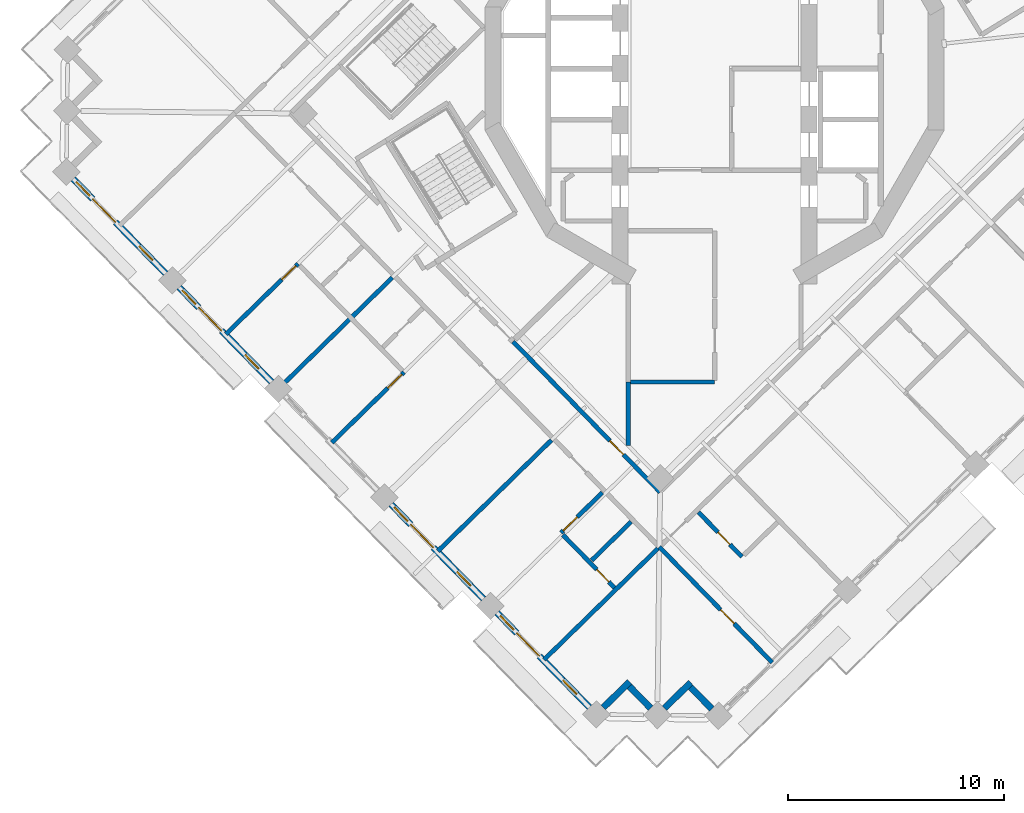
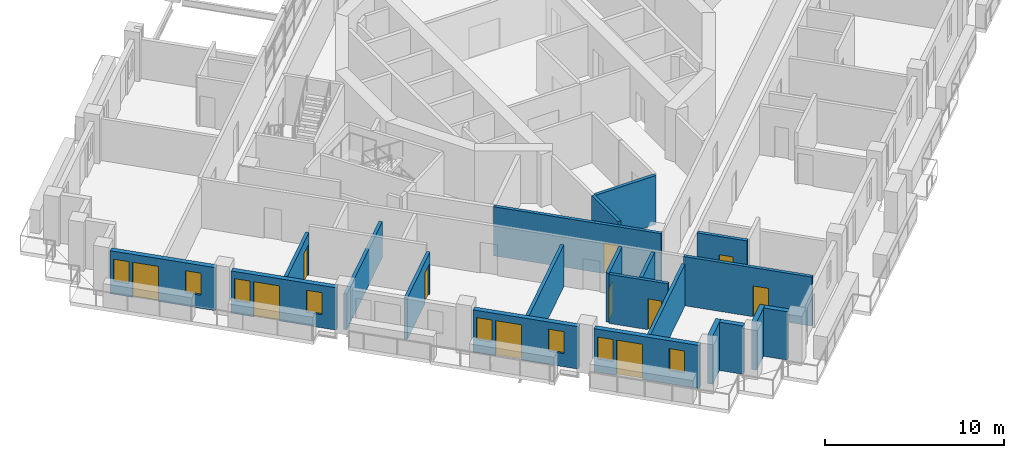
# One storey, part 5 of 19: 21 walls, 11 doors, 8 windows, 19 openings.
"""IFC4 building model written with IfcOpenShell, lengths in metres."""

import ifcopenshell
import ifcopenshell.guid

model = None  # the IFC model being written
_history = None  # IfcOwnerHistory: only IFC2X3 demands one
_inside = {}  # id of a spatial element -> (the spatial element, [elements in it])
_under = {}  # id of a project, library or spatial element -> (it, [spatial elements below it])
_declared = {}  # id of a project -> (the project, [libraries it declares])
_typed = {}  # id of a type object -> (the type object, [elements of that type])
_made_of = {}  # id of a material, layer set ... -> (it, [elements and type objects made of it])


def new_model(schema):
    """Start an empty IFC model of exactly this schema.

    Asked for "IFC4X3", IfcOpenShell would pick the latest addendum, in which some entities
    have other attributes; the version numbers below select the first issue.
    IFC2X3 requires an IfcOwnerHistory on every rooted entity: one is made here for all.
    """
    global model, _history
    if schema == "IFC4X3":
        model = ifcopenshell.file(schema_version=(4, 3, 0, 0))
    else:
        model = ifcopenshell.file(schema=schema)
    _inside.clear()
    _under.clear()
    _declared.clear()
    _typed.clear()
    _made_of.clear()
    _history = None
    if model.schema == "IFC2X3":
        org = make("IfcOrganization", Name="unknown")
        user = make(
            "IfcPersonAndOrganization",
            ThePerson=make("IfcPerson", FamilyName="unknown"),
            TheOrganization=org,
        )
        app = make(
            "IfcApplication",
            ApplicationDeveloper=org,
            Version="unknown",
            ApplicationFullName="unknown",
            ApplicationIdentifier="unknown",
        )
        _history = make(
            "IfcOwnerHistory",
            OwningUser=user,
            OwningApplication=app,
            ChangeAction="ADDED",
            CreationDate=0,
        )
    return model


def make(cls, **values):
    """One entity of the class cls with the attributes given. An attribute that is None is left unset."""
    return model.create_entity(
        cls, **{name: value for name, value in values.items() if value is not None}
    )


def rooted(cls, **values):
    """An entity with a GlobalId (a new one), such as an element, a storey or a relation."""
    return make(cls, GlobalId=ifcopenshell.guid.new(), OwnerHistory=_history, **values)


def si_unit(unit_type, name, prefix=None):
    """IfcSIUnit, for example si_unit("LENGTHUNIT", "METRE", prefix="MILLI")."""
    return make("IfcSIUnit", UnitType=unit_type, Prefix=prefix, Name=name)


def assignment(units):
    """IfcUnitAssignment: the units of a project."""
    return None if units is None else make("IfcUnitAssignment", Units=units)


def point(xyz):
    """IfcCartesianPoint."""
    return None if xyz is None else make("IfcCartesianPoint", Coordinates=xyz)


def direction(xyz):
    """IfcDirection."""
    return None if xyz is None else make("IfcDirection", DirectionRatios=xyz)


def frame(location, z_axis=None, x_axis=None):
    """IfcAxis2Placement3D, a coordinate frame: its origin and axes. An axis left out is left unset."""
    return make(
        "IfcAxis2Placement3D",
        Location=point(location),
        Axis=direction(z_axis),
        RefDirection=direction(x_axis),
    )


def frame_2d(location, x_axis=None):
    """IfcAxis2Placement2D, a coordinate frame in the plane: its origin and x axis."""
    return make(
        "IfcAxis2Placement2D", Location=point(location), RefDirection=direction(x_axis)
    )


def origin():
    """The frame at (0, 0, 0) with its axes left unset."""
    return frame((0.0, 0.0, 0.0))


def place(relative_to, where):
    """IfcLocalPlacement: puts the frame where relative to a parent placement (None: the world)."""
    return make(
        "IfcLocalPlacement", PlacementRelTo=relative_to, RelativePlacement=where
    )


def context(
    kind, dimensions, precision=None, world=None, true_north=None, identifier=None
):
    """IfcGeometricRepresentationContext, for example the 3D "Model" context."""
    return make(
        "IfcGeometricRepresentationContext",
        ContextIdentifier=identifier,
        ContextType=kind,
        CoordinateSpaceDimension=dimensions,
        Precision=precision,
        WorldCoordinateSystem=world,
        TrueNorth=true_north,
    )


def subcontext(parent, identifier, kind, view, scale=None):
    """IfcGeometricRepresentationSubContext, for example "Body" below "Model"."""
    return make(
        "IfcGeometricRepresentationSubContext",
        ContextIdentifier=identifier,
        ContextType=kind,
        ParentContext=parent,
        TargetScale=scale,
        TargetView=view,
    )


def project(units=None, contexts=None):
    """IfcProject with its units and contexts."""
    return rooted(
        "IfcProject",
        Name="project",
        RepresentationContexts=contexts,
        UnitsInContext=assignment(units),
    )


def spatial(cls, under=None, at=None, **own):
    """A site, building, storey or space (cls), placed at a placement, below another one or the project."""
    s = rooted(cls, ObjectPlacement=at, **own)
    if under is not None:
        _under.setdefault(under.id(), (under, []))[1].append(s)
    return s


def profile(cls, at=None, kind="AREA", **sizes):
    """A parametric profile (cls). Its sizes go by their IFC names, for example OverallWidth=200.0."""
    return make(cls, ProfileType=kind, Position=at, **sizes)


def rectangle(**sizes):
    """IfcRectangleProfileDef."""
    return profile("IfcRectangleProfileDef", **sizes)


def extrude(swept, where, along, depth):
    """IfcExtrudedAreaSolid: the profile swept, set in the frame where, extruded along a direction by depth."""
    return make(
        "IfcExtrudedAreaSolid",
        SweptArea=swept,
        Position=where,
        ExtrudedDirection=direction(along),
        Depth=depth,
    )


def shape(context_of_items, identifier, shape_type, items):
    """IfcShapeRepresentation: the items that make up one representation, for example the "Body"."""
    return make(
        "IfcShapeRepresentation",
        ContextOfItems=context_of_items,
        RepresentationIdentifier=identifier,
        RepresentationType=shape_type,
        Items=items,
    )


def material(Name=None, Category=None):
    """IfcMaterial."""
    return make("IfcMaterial", Name=Name, Category=Category)


def layer(
    of_material, thickness, ventilated=None, Name=None, Category=None, Priority=None
):
    """IfcMaterialLayer: one layer of a wall or slab, of a material (None: an air gap)."""
    return make(
        "IfcMaterialLayer",
        Material=of_material,
        LayerThickness=thickness,
        IsVentilated=ventilated,
        Name=Name,
        Category=Category,
        Priority=Priority,
    )


def layer_set(layers, Name=None):
    """IfcMaterialLayerSet."""
    return make("IfcMaterialLayerSet", MaterialLayers=layers, LayerSetName=Name)


def made_of(thing, what):
    """Note that an element or type object is made of a material, layer set ...; save() writes the relation."""
    if what is not None:
        _made_of.setdefault(what.id(), (what, []))[1].append(thing)
    return thing


def type_object(cls, material=None, **own):
    """A type object (cls), such as IfcWallType, which elements share."""
    return made_of(rooted(cls, **own), material)


def element(
    cls,
    number,
    at=None,
    inside=None,
    cuts=None,
    type_object=None,
    material=None,
    context=None,
    identifier="Body",
    shape_type=None,
    held_by="IfcProductDefinitionShape",
    body=None,
    shapes=None,
    **own,
):
    """One element of the class cls, such as IfcWall. Its Tag is "e" and its number.

    at: its placement. inside: the storey or other place that contains it. cuts: it is an
    opening in that element (IfcRelVoidsElement). A single representation is given by context,
    identifier, shape_type and body (its items); several are given by shapes. held_by: the class
    of the entity that holds the representations. save() writes the other relations.
    """
    e = rooted(cls, Tag="e%d" % number, ObjectPlacement=at, **own)
    if body is not None:
        shapes = [shape(context, identifier, shape_type, body)]
    if shapes is not None:
        e.Representation = make(held_by, Representations=shapes)
    if inside is not None:
        _inside.setdefault(inside.id(), (inside, []))[1].append(e)
    if cuts is not None:
        rooted(
            "IfcRelVoidsElement", RelatingBuildingElement=cuts, RelatedOpeningElement=e
        )
    if type_object is not None:
        _typed.setdefault(type_object.id(), (type_object, []))[1].append(e)
    return made_of(e, material)


def fill(opening, filler):
    """IfcRelFillsElement: the door or window that sits in an opening."""
    return rooted(
        "IfcRelFillsElement",
        RelatingOpeningElement=opening,
        RelatedBuildingElement=filler,
    )


def aggregate(whole, parts):
    """IfcRelAggregates: a whole, such as a stair, and the parts it consists of."""
    return rooted("IfcRelAggregates", RelatingObject=whole, RelatedObjects=parts)


def save(model, path):
    """Write the relations noted so far, then the file.

    IfcRelAggregates (storeys below a building ...), IfcRelContainedInSpatialStructure (elements
    in a storey), IfcRelDefinesByType, IfcRelAssociatesMaterial and IfcRelDeclares: one each for
    every whole, place, type object, material and project.
    """
    for whole, parts in _under.values():
        aggregate(whole, parts)
    for where, things in _inside.values():
        rooted(
            "IfcRelContainedInSpatialStructure",
            RelatedElements=things,
            RelatingStructure=where,
        )
    for kind, things in _typed.values():
        rooted("IfcRelDefinesByType", RelatedObjects=things, RelatingType=kind)
    for what, things in _made_of.values():
        rooted("IfcRelAssociatesMaterial", RelatedObjects=things, RelatingMaterial=what)
    for by, libraries in _declared.values():
        rooted("IfcRelDeclares", RelatingContext=by, RelatedDefinitions=libraries)
    model.write(path)


model = new_model("IFC4")

# Units and contexts
model_context = context("Model", 3, precision=1e-05, world=origin(), true_north=direction((0.0, 1.0)))
body_context = subcontext(model_context, "Body", "Model", "MODEL_VIEW")
ifc_project = project(units=[si_unit("LENGTHUNIT", "METRE"), si_unit("AREAUNIT", "SQUARE_METRE"), si_unit("VOLUMEUNIT", "CUBIC_METRE"), si_unit("PLANEANGLEUNIT", "RADIAN"), si_unit("MASSUNIT", "GRAM", prefix="KILO")], contexts=[model_context])

# Site, building, storey
site_placement = place(None, origin())
site = spatial("IfcSite", under=ifc_project, at=site_placement, CompositionType="ELEMENT")
building_placement = place(site_placement, origin())
building = spatial("IfcBuilding", under=site, at=building_placement, Name="Cantera Rosa Tower", CompositionType="ELEMENT")
storey_placement = place(building_placement, frame((0.0, 0.0, 223.39990234375)))
storey = spatial("IfcBuildingStorey", under=building, at=storey_placement, Name="L48", CompositionType="ELEMENT", Elevation=223.39990234375)

# Wall, opening, door
ifc_material_1 = material(Name="Gypsum board partition")
ifc_layer_1 = layer(ifc_material_1, 0.199951171875)
ifc_layer_set_1 = layer_set([ifc_layer_1], Name="CORRIDOR WALL 200 H3350")
wall_type_1 = type_object("IfcWallType", Name="CORRIDOR WALL 200 H3350", PredefinedType="PARTITIONING", material=ifc_layer_set_1)
wall_1_placement = place(storey_placement, frame((-9.325927734375, -12.634521484375, 0.0), z_axis=(0.0, 0.0, 1.0), x_axis=(0.698841350765, -0.71527670622, 0.0)))
wall_1 = element("IfcWall", 1, at=wall_1_placement, inside=storey, type_object=wall_type_1, Name="CORRIDOR WALL L48-032", PredefinedType="PARTITIONING", context=body_context, shape_type="SweptSolid", body=[
    extrude(rectangle(XDim=9.729736328125, YDim=0.199951171875, at=frame_2d((4.86474609375, 0.0))), origin(), (0.0, 0.0, 1.0), 3.35009765625),
])
opening_1_placement = place(wall_1_placement, frame((6.406982421875, 0.0, 0.0)))
opening_1 = element("IfcOpeningElement", 2, at=opening_1_placement, cuts=wall_1, Name="Opening L48-010", PredefinedType="OPENING", context=body_context, shape_type="SweptSolid", body=[
    extrude(rectangle(XDim=0.89990234375, YDim=2.10009765625, at=frame_2d((0.449951171875, 1.050048828125))), frame((0.0, 0.10986328125, 0.0), z_axis=(0.0, -1.0, 0.0), x_axis=(1.0, 0.0, 0.0)), (0.0, 0.0, 1.0), 0.219970703125),
])
ifc_material_2 = material(Name="Timber door leaf", Category="wood")
door_type_1 = type_object("IfcDoorType", Name="SERVICE DOOR 900x2100", OperationType="NOTDEFINED", PredefinedType="DOOR", material=ifc_material_2)
door_1_placement = place(opening_1_placement, origin())
door_1 = element("IfcDoor", 3, at=door_1_placement, inside=storey, type_object=door_type_1, Name="DOOR L48-010", OperationType="NOTDEFINED", OverallHeight=2.10009765625, OverallWidth=0.89990234375, PredefinedType="DOOR", context=body_context, shape_type="SweptSolid", body=[
    extrude(rectangle(XDim=0.89990234375, YDim=2.10009765625, at=frame_2d((0.449951171875, 1.050048828125))), frame((0.0, 0.02490234375, 0.0), z_axis=(0.0, -1.0, 0.0), x_axis=(1.0, 0.0, 0.0)), (0.0, 0.0, 1.0), 0.050048828125),
])
fill(opening_1, door_1)

# Walls
wall_2_placement = place(storey_placement, frame((-4.0, -14.5, 0.0), z_axis=(0.0, 0.0, 1.0), x_axis=(0.0, -1.0, 0.0)))
element("IfcWall", 4, at=wall_2_placement, inside=storey, type_object=wall_type_1, Name="CORRIDOR WALL L48-051", PredefinedType="PARTITIONING", context=body_context, shape_type="SweptSolid", body=[
    extrude(rectangle(XDim=2.94189453125, YDim=0.199951171875, at=frame_2d((1.470947265625, 0.0))), origin(), (0.0, 0.0, 1.0), 3.35009765625),
])
wall_3_placement = place(storey_placement, frame((-3.89990234375, -14.5, 0.0), z_axis=(0.0, 0.0, 1.0), x_axis=(1.0, 0.0, 0.0)))
element("IfcWall", 5, at=wall_3_placement, inside=storey, type_object=wall_type_1, Name="CORRIDOR WALL L48-052", PredefinedType="PARTITIONING", context=body_context, shape_type="SweptSolid", body=[
    extrude(rectangle(XDim=3.89990234375, YDim=0.199951171875, at=frame_2d((1.949951171875, 0.0))), origin(), (0.0, 0.0, 1.0), 3.35009765625),
])
ifc_material_3 = material(Name="Hollow clay masonry with cantera stone cladding", Category="masonry")
ifc_layer_2 = layer(ifc_material_3, 0.300048828125)
ifc_layer_set_2 = layer_set([ifc_layer_2], Name="EW-LOGGIA 300")
wall_type_2 = type_object("IfcWallType", Name="EW-LOGGIA 300", PredefinedType="SOLIDWALL", material=ifc_layer_set_2)
wall_4_placement = place(storey_placement, frame((-5.15283203125, -29.56982421875, 0.0), z_axis=(0.0, 0.0, 1.0), x_axis=(0.715316077832, 0.69880105094, 0.0)))
element("IfcWall", 6, at=wall_4_placement, inside=storey, type_object=wall_type_2, Name="EN-L48-W19a", PredefinedType="SOLIDWALL", context=body_context, shape_type="SweptSolid", body=[
    extrude(rectangle(XDim=1.699951171875, YDim=0.300048828125, at=frame_2d((0.85009765625, 0.0))), origin(), (0.0, 0.0, 1.0), 3.300048828125),
])
wall_5_placement = place(storey_placement, frame((-3.939208984375, -28.593994140625, 0.0), z_axis=(0.0, 0.0, 1.0), x_axis=(0.698861982187, -0.715256548278, 0.0)))
element("IfcWall", 7, at=wall_5_placement, inside=storey, type_object=wall_type_2, Name="EN-L48-W19b", PredefinedType="SOLIDWALL", context=body_context, shape_type="SweptSolid", body=[
    extrude(rectangle(XDim=1.39990234375, YDim=0.300048828125, at=frame_2d((0.699951171875, 0.0))), origin(), (0.0, 0.0, 1.0), 3.300048828125),
])
wall_6_placement = place(storey_placement, frame((-2.324462890625, -29.602783203125, 0.0), z_axis=(0.0, 0.0, 1.0), x_axis=(0.715316077832, 0.69880105094, 0.0)))
element("IfcWall", 8, at=wall_6_placement, inside=storey, type_object=wall_type_2, Name="EN-L48-W20a", PredefinedType="SOLIDWALL", context=body_context, shape_type="SweptSolid", body=[
    extrude(rectangle(XDim=1.699951171875, YDim=0.300048828125, at=frame_2d((0.85009765625, 0.0))), origin(), (0.0, 0.0, 1.0), 3.300048828125),
])
wall_7_placement = place(storey_placement, frame((-1.111083984375, -28.626953125, 0.0), z_axis=(0.0, 0.0, 1.0), x_axis=(0.698951192766, -0.71516937164, 0.0)))
element("IfcWall", 9, at=wall_7_placement, inside=storey, type_object=wall_type_2, Name="EN-L48-W20b", PredefinedType="SOLIDWALL", context=body_context, shape_type="SweptSolid", body=[
    extrude(rectangle(XDim=1.39990234375, YDim=0.300048828125, at=frame_2d((0.699951171875, 0.0))), origin(), (0.0, 0.0, 1.0), 3.300048828125),
])

# Wall, openings, windows, door
ifc_material_4 = material(Name="Hollow clay masonry with cantera stone cladding", Category="masonry")
ifc_layer_3 = layer(ifc_material_4, 0.300048828125)
ifc_layer_set_3 = layer_set([ifc_layer_3], Name="EW-LOGGIA 300 H2890")
wall_type_3 = type_object("IfcWallType", Name="EW-LOGGIA 300 H2890", PredefinedType="SOLIDWALL", material=ifc_layer_set_3)
wall_8_placement = place(storey_placement, frame((-24.783203125, -10.120849609375, 0.0), z_axis=(0.0, 0.0, 1.0), x_axis=(0.698800768177, -0.715316354067, 0.0)))
wall_8 = element("IfcWall", 10, at=wall_8_placement, inside=storey, type_object=wall_type_3, Name="EN-L48-W15", PredefinedType="SOLIDWALL", context=body_context, shape_type="SweptSolid", body=[
    extrude(rectangle(XDim=6.119873046875, YDim=0.300048828125, at=frame_2d((3.06005859375, 0.0))), origin(), (0.0, 0.0, 1.0), 2.89013671875),
])
opening_2_placement = place(wall_8_placement, frame((0.199951171875, 0.0, 0.89990234375)))
opening_2 = element("IfcOpeningElement", 11, at=opening_2_placement, cuts=wall_8, Name="Opening L48-W25", PredefinedType="OPENING", context=body_context, shape_type="SweptSolid", body=[
    extrude(rectangle(XDim=0.89990234375, YDim=1.5, at=frame_2d((0.449951171875, 0.75))), frame((0.0, 0.159912109375, 0.0), z_axis=(0.0, -1.0, 0.0), x_axis=(1.0, 0.0, 0.0)), (0.0, 0.0, 1.0), 0.320068359375),
])
opening_3_placement = place(wall_8_placement, frame((1.300048828125, 0.0, 0.0)))
opening_3 = element("IfcOpeningElement", 12, at=opening_3_placement, cuts=wall_8, Name="Opening L48-TD26", PredefinedType="OPENING", context=body_context, shape_type="SweptSolid", body=[
    extrude(rectangle(XDim=1.5, YDim=2.39990234375, at=frame_2d((0.75, 1.199951171875))), frame((0.0, 0.159912109375, 0.0), z_axis=(0.0, -1.0, 0.0), x_axis=(1.0, 0.0, 0.0)), (0.0, 0.0, 1.0), 0.320068359375),
])
opening_4_placement = place(wall_8_placement, frame((4.364990234375, 0.0, 0.89990234375)))
opening_4 = element("IfcOpeningElement", 13, at=opening_4_placement, cuts=wall_8, Name="Opening L48-W27", PredefinedType="OPENING", context=body_context, shape_type="SweptSolid", body=[
    extrude(rectangle(XDim=0.89990234375, YDim=1.5, at=frame_2d((0.449951171875, 0.75))), frame((0.0, 0.159912109375, 0.0), z_axis=(0.0, -1.0, 0.0), x_axis=(1.0, 0.0, 0.0)), (0.0, 0.0, 1.0), 0.320068359375),
])
ifc_material_5 = material(Name="Aluminium frame with clear glass", Category="aluminium")
window_type = type_object("IfcWindowType", Name="Residential window 900x1500", PartitioningType="SINGLE_PANEL", PredefinedType="WINDOW", material=ifc_material_5)
window_1_placement = place(opening_2_placement, origin())
window_1 = element("IfcWindow", 14, at=window_1_placement, inside=storey, type_object=window_type, Name="WINDOW L48-W25", OverallHeight=1.5, OverallWidth=0.89990234375, PartitioningType="SINGLE_PANEL", PredefinedType="WINDOW", context=body_context, shape_type="SweptSolid", body=[
    extrude(rectangle(XDim=0.89990234375, YDim=1.5, at=frame_2d((0.449951171875, 0.75))), frame((0.0, 0.030029296875, 0.0), z_axis=(0.0, -1.0, 0.0), x_axis=(1.0, 0.0, 0.0)), (0.0, 0.0, 1.0), 0.06005859375),
])
fill(opening_2, window_1)
window_2_placement = place(opening_4_placement, origin())
window_2 = element("IfcWindow", 15, at=window_2_placement, inside=storey, type_object=window_type, Name="WINDOW L48-W27", OverallHeight=1.5, OverallWidth=0.89990234375, PartitioningType="SINGLE_PANEL", PredefinedType="WINDOW", context=body_context, shape_type="SweptSolid", body=[
    extrude(rectangle(XDim=0.89990234375, YDim=1.5, at=frame_2d((0.449951171875, 0.75))), frame((0.0, 0.030029296875, 0.0), z_axis=(0.0, -1.0, 0.0), x_axis=(1.0, 0.0, 0.0)), (0.0, 0.0, 1.0), 0.06005859375),
])
fill(opening_4, window_2)
ifc_material_6 = material(Name="Aluminium frame with clear glass", Category="aluminium")
door_type_2 = type_object("IfcDoorType", Name="TD-R 1500x2400", OperationType="NOTDEFINED", PredefinedType="DOOR", material=ifc_material_6)
door_2_placement = place(opening_3_placement, origin())
door_2 = element("IfcDoor", 16, at=door_2_placement, inside=storey, type_object=door_type_2, Name="LOGGIA DOOR L48-TD26", OperationType="SLIDING_TO_LEFT", OverallHeight=2.39990234375, OverallWidth=1.5, PredefinedType="DOOR", context=body_context, shape_type="SweptSolid", body=[
    extrude(rectangle(XDim=1.5, YDim=2.39990234375, at=frame_2d((0.75, 1.199951171875))), frame((0.0, 0.02490234375, 0.0), z_axis=(0.0, -1.0, 0.0), x_axis=(1.0, 0.0, 0.0)), (0.0, 0.0, 1.0), 0.050048828125),
])
fill(opening_3, door_2)

wall_9_placement = place(storey_placement, frame((-14.9716796875, -20.16357421875, 0.0), z_axis=(0.0, 0.0, 1.0), x_axis=(0.698841120217, -0.71527693147, 0.0)))
wall_9 = element("IfcWall", 17, at=wall_9_placement, inside=storey, type_object=wall_type_3, Name="EN-L48-W17", PredefinedType="SOLIDWALL", context=body_context, shape_type="SweptSolid", body=[
    extrude(rectangle(XDim=6.119873046875, YDim=0.300048828125, at=frame_2d((3.06005859375, 0.0))), origin(), (0.0, 0.0, 1.0), 2.89013671875),
])
opening_5_placement = place(wall_9_placement, frame((0.199951171875, 0.0, 0.89990234375)))
opening_5 = element("IfcOpeningElement", 18, at=opening_5_placement, cuts=wall_9, Name="Opening L48-W31", PredefinedType="OPENING", context=body_context, shape_type="SweptSolid", body=[
    extrude(rectangle(XDim=0.89990234375, YDim=1.5, at=frame_2d((0.449951171875, 0.75))), frame((0.0, 0.159912109375, 0.0), z_axis=(0.0, -1.0, 0.0), x_axis=(1.0, 0.0, 0.0)), (0.0, 0.0, 1.0), 0.320068359375),
])
opening_6_placement = place(wall_9_placement, frame((1.300048828125, 0.0, 0.0)))
opening_6 = element("IfcOpeningElement", 19, at=opening_6_placement, cuts=wall_9, Name="Opening L48-TD32", PredefinedType="OPENING", context=body_context, shape_type="SweptSolid", body=[
    extrude(rectangle(XDim=1.5, YDim=2.39990234375, at=frame_2d((0.75, 1.199951171875))), frame((0.0, 0.159912109375, 0.0), z_axis=(0.0, -1.0, 0.0), x_axis=(1.0, 0.0, 0.0)), (0.0, 0.0, 1.0), 0.320068359375),
])
opening_7_placement = place(wall_9_placement, frame((4.364990234375, 0.0, 0.89990234375)))
opening_7 = element("IfcOpeningElement", 20, at=opening_7_placement, cuts=wall_9, Name="Opening L48-W33", PredefinedType="OPENING", context=body_context, shape_type="SweptSolid", body=[
    extrude(rectangle(XDim=0.89990234375, YDim=1.5, at=frame_2d((0.449951171875, 0.75))), frame((0.0, 0.159912109375, 0.0), z_axis=(0.0, -1.0, 0.0), x_axis=(1.0, 0.0, 0.0)), (0.0, 0.0, 1.0), 0.320068359375),
])
window_3_placement = place(opening_5_placement, origin())
window_3 = element("IfcWindow", 21, at=window_3_placement, inside=storey, type_object=window_type, Name="WINDOW L48-W31", OverallHeight=1.5, OverallWidth=0.89990234375, PartitioningType="SINGLE_PANEL", PredefinedType="WINDOW", context=body_context, shape_type="SweptSolid", body=[
    extrude(rectangle(XDim=0.89990234375, YDim=1.5, at=frame_2d((0.449951171875, 0.75))), frame((0.0, 0.030029296875, 0.0), z_axis=(0.0, -1.0, 0.0), x_axis=(1.0, 0.0, 0.0)), (0.0, 0.0, 1.0), 0.06005859375),
])
fill(opening_5, window_3)
window_4_placement = place(opening_7_placement, origin())
window_4 = element("IfcWindow", 22, at=window_4_placement, inside=storey, type_object=window_type, Name="WINDOW L48-W33", OverallHeight=1.5, OverallWidth=0.89990234375, PartitioningType="SINGLE_PANEL", PredefinedType="WINDOW", context=body_context, shape_type="SweptSolid", body=[
    extrude(rectangle(XDim=0.89990234375, YDim=1.5, at=frame_2d((0.449951171875, 0.75))), frame((0.0, 0.030029296875, 0.0), z_axis=(0.0, -1.0, 0.0), x_axis=(1.0, 0.0, 0.0)), (0.0, 0.0, 1.0), 0.06005859375),
])
fill(opening_7, window_4)
door_3_placement = place(opening_6_placement, origin())
door_3 = element("IfcDoor", 23, at=door_3_placement, inside=storey, type_object=door_type_2, Name="LOGGIA DOOR L48-TD32", OperationType="SLIDING_TO_LEFT", OverallHeight=2.39990234375, OverallWidth=1.5, PredefinedType="DOOR", context=body_context, shape_type="SweptSolid", body=[
    extrude(rectangle(XDim=1.5, YDim=2.39990234375, at=frame_2d((0.75, 1.199951171875))), frame((0.0, 0.02490234375, 0.0), z_axis=(0.0, -1.0, 0.0), x_axis=(1.0, 0.0, 0.0)), (0.0, 0.0, 1.0), 0.050048828125),
])
fill(opening_6, door_3)

ifc_material_7 = material(Name="Hollow clay masonry with cantera stone cladding", Category="masonry")
ifc_layer_4 = layer(ifc_material_7, 0.300048828125)
ifc_layer_set_4 = layer_set([ifc_layer_4], Name="EW-LOGGIA 300 H2940")
wall_type_4 = type_object("IfcWallType", Name="EW-LOGGIA 300 H2940", PredefinedType="SOLIDWALL", material=ifc_layer_set_4)
wall_10_placement = place(storey_placement, frame((-29.689208984375, -5.099609375, 0.0), z_axis=(0.0, 0.0, 1.0), x_axis=(0.69882117953, -0.715296413412, 0.0)))
wall_10 = element("IfcWall", 24, at=wall_10_placement, inside=storey, type_object=wall_type_4, Name="EN-L48-W14", PredefinedType="SOLIDWALL", context=body_context, shape_type="SweptSolid", body=[
    extrude(rectangle(XDim=6.1201171875, YDim=0.300048828125, at=frame_2d((3.06005859375, 0.0))), origin(), (0.0, 0.0, 1.0), 2.940185546875),
])
opening_8_placement = place(wall_10_placement, frame((0.199951171875, 0.0, 0.89990234375)))
opening_8 = element("IfcOpeningElement", 25, at=opening_8_placement, cuts=wall_10, Name="Opening L48-W22", PredefinedType="OPENING", context=body_context, shape_type="SweptSolid", body=[
    extrude(rectangle(XDim=0.89990234375, YDim=1.5, at=frame_2d((0.449951171875, 0.75))), frame((0.0, 0.159912109375, 0.0), z_axis=(0.0, -1.0, 0.0), x_axis=(1.0, 0.0, 0.0)), (0.0, 0.0, 1.0), 0.320068359375),
])
opening_9_placement = place(wall_10_placement, frame((1.300048828125, 0.0, 0.0)))
opening_9 = element("IfcOpeningElement", 26, at=opening_9_placement, cuts=wall_10, Name="Opening L48-TD23", PredefinedType="OPENING", context=body_context, shape_type="SweptSolid", body=[
    extrude(rectangle(XDim=1.5, YDim=2.39990234375, at=frame_2d((0.75, 1.199951171875))), frame((0.0, 0.159912109375, 0.0), z_axis=(0.0, -1.0, 0.0), x_axis=(1.0, 0.0, 0.0)), (0.0, 0.0, 1.0), 0.320068359375),
])
opening_10_placement = place(wall_10_placement, frame((4.364990234375, 0.0, 0.89990234375)))
opening_10 = element("IfcOpeningElement", 27, at=opening_10_placement, cuts=wall_10, Name="Opening L48-W24", PredefinedType="OPENING", context=body_context, shape_type="SweptSolid", body=[
    extrude(rectangle(XDim=0.89990234375, YDim=1.5, at=frame_2d((0.449951171875, 0.75))), frame((0.0, 0.159912109375, 0.0), z_axis=(0.0, -1.0, 0.0), x_axis=(1.0, 0.0, 0.0)), (0.0, 0.0, 1.0), 0.320068359375),
])
window_5_placement = place(opening_8_placement, origin())
window_5 = element("IfcWindow", 28, at=window_5_placement, inside=storey, type_object=window_type, Name="WINDOW L48-W22", OverallHeight=1.5, OverallWidth=0.89990234375, PartitioningType="SINGLE_PANEL", PredefinedType="WINDOW", context=body_context, shape_type="SweptSolid", body=[
    extrude(rectangle(XDim=0.89990234375, YDim=1.5, at=frame_2d((0.449951171875, 0.75))), frame((0.0, 0.030029296875, 0.0), z_axis=(0.0, -1.0, 0.0), x_axis=(1.0, 0.0, 0.0)), (0.0, 0.0, 1.0), 0.06005859375),
])
fill(opening_8, window_5)
window_6_placement = place(opening_10_placement, origin())
window_6 = element("IfcWindow", 29, at=window_6_placement, inside=storey, type_object=window_type, Name="WINDOW L48-W24", OverallHeight=1.5, OverallWidth=0.89990234375, PartitioningType="SINGLE_PANEL", PredefinedType="WINDOW", context=body_context, shape_type="SweptSolid", body=[
    extrude(rectangle(XDim=0.89990234375, YDim=1.5, at=frame_2d((0.449951171875, 0.75))), frame((0.0, 0.030029296875, 0.0), z_axis=(0.0, -1.0, 0.0), x_axis=(1.0, 0.0, 0.0)), (0.0, 0.0, 1.0), 0.06005859375),
])
fill(opening_10, window_6)
door_4_placement = place(opening_9_placement, origin())
door_4 = element("IfcDoor", 30, at=door_4_placement, inside=storey, type_object=door_type_2, Name="LOGGIA DOOR L48-TD23", OperationType="SLIDING_TO_LEFT", OverallHeight=2.39990234375, OverallWidth=1.5, PredefinedType="DOOR", context=body_context, shape_type="SweptSolid", body=[
    extrude(rectangle(XDim=1.5, YDim=2.39990234375, at=frame_2d((0.75, 1.199951171875))), frame((0.0, 0.02490234375, 0.0), z_axis=(0.0, -1.0, 0.0), x_axis=(1.0, 0.0, 0.0)), (0.0, 0.0, 1.0), 0.050048828125),
])
fill(opening_9, door_4)

wall_11_placement = place(storey_placement, frame((-10.06591796875, -25.184814453125, 0.0), z_axis=(0.0, 0.0, 1.0), x_axis=(0.69882117953, -0.715296413412, 0.0)))
wall_11 = element("IfcWall", 31, at=wall_11_placement, inside=storey, type_object=wall_type_4, Name="EN-L48-W18", PredefinedType="SOLIDWALL", context=body_context, shape_type="SweptSolid", body=[
    extrude(rectangle(XDim=6.1201171875, YDim=0.300048828125, at=frame_2d((3.06005859375, 0.0))), origin(), (0.0, 0.0, 1.0), 2.940185546875),
])
opening_11_placement = place(wall_11_placement, frame((0.199951171875, 0.0, 0.89990234375)))
opening_11 = element("IfcOpeningElement", 32, at=opening_11_placement, cuts=wall_11, Name="Opening L48-W34", PredefinedType="OPENING", context=body_context, shape_type="SweptSolid", body=[
    extrude(rectangle(XDim=0.89990234375, YDim=1.5, at=frame_2d((0.449951171875, 0.75))), frame((0.0, 0.159912109375, 0.0), z_axis=(0.0, -1.0, 0.0), x_axis=(1.0, 0.0, 0.0)), (0.0, 0.0, 1.0), 0.320068359375),
])
opening_12_placement = place(wall_11_placement, frame((1.300048828125, 0.0, 0.0)))
opening_12 = element("IfcOpeningElement", 33, at=opening_12_placement, cuts=wall_11, Name="Opening L48-TD35", PredefinedType="OPENING", context=body_context, shape_type="SweptSolid", body=[
    extrude(rectangle(XDim=1.5, YDim=2.39990234375, at=frame_2d((0.75, 1.199951171875))), frame((0.0, 0.159912109375, 0.0), z_axis=(0.0, -1.0, 0.0), x_axis=(1.0, 0.0, 0.0)), (0.0, 0.0, 1.0), 0.320068359375),
])
opening_13_placement = place(wall_11_placement, frame((4.364990234375, 0.0, 0.89990234375)))
opening_13 = element("IfcOpeningElement", 34, at=opening_13_placement, cuts=wall_11, Name="Opening L48-W36", PredefinedType="OPENING", context=body_context, shape_type="SweptSolid", body=[
    extrude(rectangle(XDim=0.89990234375, YDim=1.5, at=frame_2d((0.449951171875, 0.75))), frame((0.0, 0.159912109375, 0.0), z_axis=(0.0, -1.0, 0.0), x_axis=(1.0, 0.0, 0.0)), (0.0, 0.0, 1.0), 0.320068359375),
])
window_7_placement = place(opening_11_placement, origin())
window_7 = element("IfcWindow", 35, at=window_7_placement, inside=storey, type_object=window_type, Name="WINDOW L48-W34", OverallHeight=1.5, OverallWidth=0.89990234375, PartitioningType="SINGLE_PANEL", PredefinedType="WINDOW", context=body_context, shape_type="SweptSolid", body=[
    extrude(rectangle(XDim=0.89990234375, YDim=1.5, at=frame_2d((0.449951171875, 0.75))), frame((0.0, 0.030029296875, 0.0), z_axis=(0.0, -1.0, 0.0), x_axis=(1.0, 0.0, 0.0)), (0.0, 0.0, 1.0), 0.06005859375),
])
fill(opening_11, window_7)
window_8_placement = place(opening_13_placement, origin())
window_8 = element("IfcWindow", 36, at=window_8_placement, inside=storey, type_object=window_type, Name="WINDOW L48-W36", OverallHeight=1.5, OverallWidth=0.89990234375, PartitioningType="SINGLE_PANEL", PredefinedType="WINDOW", context=body_context, shape_type="SweptSolid", body=[
    extrude(rectangle(XDim=0.89990234375, YDim=1.5, at=frame_2d((0.449951171875, 0.75))), frame((0.0, 0.030029296875, 0.0), z_axis=(0.0, -1.0, 0.0), x_axis=(1.0, 0.0, 0.0)), (0.0, 0.0, 1.0), 0.06005859375),
])
fill(opening_13, window_8)
door_5_placement = place(opening_12_placement, origin())
door_5 = element("IfcDoor", 37, at=door_5_placement, inside=storey, type_object=door_type_2, Name="LOGGIA DOOR L48-TD35", OperationType="SLIDING_TO_LEFT", OverallHeight=2.39990234375, OverallWidth=1.5, PredefinedType="DOOR", context=body_context, shape_type="SweptSolid", body=[
    extrude(rectangle(XDim=1.5, YDim=2.39990234375, at=frame_2d((0.75, 1.199951171875))), frame((0.0, 0.02490234375, 0.0), z_axis=(0.0, -1.0, 0.0), x_axis=(1.0, 0.0, 0.0)), (0.0, 0.0, 1.0), 0.050048828125),
])
fill(opening_12, door_5)

# Wall, opening, door
ifc_material_8 = material(Name="Gypsum board partition")
ifc_layer_5 = layer(ifc_material_8, 0.199951171875)
ifc_layer_set_5 = layer_set([ifc_layer_5], Name="PARTITION 200 H2850")
wall_type_5 = type_object("IfcWallType", Name="PARTITION 200 H2850", PredefinedType="PARTITIONING", material=ifc_layer_set_5)
wall_12_placement = place(storey_placement, frame((-22.623291015625, -12.288818359375, 0.0), z_axis=(0.0, 0.0, 1.0), x_axis=(0.715241248144, 0.698877640903, 0.0)))
wall_12 = element("IfcWall", 38, at=wall_12_placement, inside=storey, type_object=wall_type_5, Name="PARTITION L48-001", PredefinedType="PARTITIONING", context=body_context, shape_type="SweptSolid", body=[
    extrude(rectangle(XDim=4.669921875, YDim=0.199951171875, at=frame_2d((2.3349609375, 0.0))), origin(), (0.0, 0.0, 1.0), 2.85009765625),
])
opening_14_placement = place(wall_12_placement, frame((3.6201171875, 0.0, 0.0)))
opening_14 = element("IfcOpeningElement", 39, at=opening_14_placement, cuts=wall_12, Name="Opening L48-039", PredefinedType="OPENING", context=body_context, shape_type="SweptSolid", body=[
    extrude(rectangle(XDim=0.89990234375, YDim=2.10009765625, at=frame_2d((0.449951171875, 1.050048828125))), frame((0.0, 0.10986328125, 0.0), z_axis=(0.0, -1.0, 0.0), x_axis=(1.0, 0.0, 0.0)), (0.0, 0.0, 1.0), 0.219970703125),
])
ifc_material_9 = material(Name="Timber door leaf", Category="wood")
door_type_3 = type_object("IfcDoorType", Name="ROOM DOOR 900x2100", OperationType="NOTDEFINED", PredefinedType="DOOR", material=ifc_material_9)
door_6_placement = place(opening_14_placement, origin())
door_6 = element("IfcDoor", 40, at=door_6_placement, inside=storey, type_object=door_type_3, Name="DOOR L48-039", OperationType="NOTDEFINED", OverallHeight=2.10009765625, OverallWidth=0.89990234375, PredefinedType="DOOR", context=body_context, shape_type="SweptSolid", body=[
    extrude(rectangle(XDim=0.89990234375, YDim=2.10009765625, at=frame_2d((0.449951171875, 1.050048828125))), frame((0.0, 0.02490234375, 0.0), z_axis=(0.0, -1.0, 0.0), x_axis=(1.0, 0.0, 0.0)), (0.0, 0.0, 1.0), 0.050048828125),
])
fill(opening_14, door_6)

wall_13_placement = place(storey_placement, frame((-14.377197265625, -14.04638671875, 0.0), z_axis=(0.0, 0.0, 1.0), x_axis=(-0.715266781779, -0.698851508465, 0.0)))
wall_13 = element("IfcWall", 41, at=wall_13_placement, inside=storey, type_object=wall_type_5, Name="PARTITION L48-018", PredefinedType="PARTITIONING", context=body_context, shape_type="SweptSolid", body=[
    extrude(rectangle(XDim=4.670166015625, YDim=0.199951171875, at=frame_2d((2.3349609375, 0.0))), origin(), (0.0, 0.0, 1.0), 2.85009765625),
])
opening_15_placement = place(wall_13_placement, frame((0.14990234375, 0.0, 0.0)))
opening_15 = element("IfcOpeningElement", 42, at=opening_15_placement, cuts=wall_13, Name="Opening L48-042", PredefinedType="OPENING", context=body_context, shape_type="SweptSolid", body=[
    extrude(rectangle(XDim=0.89990234375, YDim=2.10009765625, at=frame_2d((0.449951171875, 1.050048828125))), frame((0.0, 0.10986328125, 0.0), z_axis=(0.0, -1.0, 0.0), x_axis=(1.0, 0.0, 0.0)), (0.0, 0.0, 1.0), 0.219970703125),
])
door_7_placement = place(opening_15_placement, origin())
door_7 = element("IfcDoor", 43, at=door_7_placement, inside=storey, type_object=door_type_3, Name="DOOR L48-042", OperationType="NOTDEFINED", OverallHeight=2.10009765625, OverallWidth=0.89990234375, PredefinedType="DOOR", context=body_context, shape_type="SweptSolid", body=[
    extrude(rectangle(XDim=0.89990234375, YDim=2.10009765625, at=frame_2d((0.449951171875, 1.050048828125))), frame((0.0, 0.02490234375, 0.0), z_axis=(0.0, -1.0, 0.0), x_axis=(1.0, 0.0, 0.0)), (0.0, 0.0, 1.0), 0.050048828125),
])
fill(opening_15, door_7)

ifc_material_10 = material(Name="Gypsum board partition")
ifc_layer_6 = layer(ifc_material_10, 0.199951171875)
ifc_layer_set_6 = layer_set([ifc_layer_6], Name="PARTITION 200 H3350")
wall_type_6 = type_object("IfcWallType", Name="PARTITION 200 H3350", PredefinedType="PARTITIONING", material=ifc_layer_set_6)
wall_14_placement = place(storey_placement, frame((-7.109375, -21.485595703125, 0.0), z_axis=(0.0, 0.0, 1.0), x_axis=(0.715257569765, 0.698860936735, 0.0)))
wall_14 = element("IfcWall", 44, at=wall_14_placement, inside=storey, type_object=wall_type_6, Name="PARTITION L48-040", PredefinedType="PARTITIONING", context=body_context, shape_type="SweptSolid", body=[
    extrude(rectangle(XDim=2.68017578125, YDim=0.199951171875, at=frame_2d((1.340087890625, 0.0))), origin(), (0.0, 0.0, 1.0), 3.35009765625),
])
opening_16_placement = place(wall_14_placement, frame((0.14990234375, 0.0, 0.0)))
opening_16 = element("IfcOpeningElement", 45, at=opening_16_placement, cuts=wall_14, Name="Opening L48-045", PredefinedType="OPENING", context=body_context, shape_type="SweptSolid", body=[
    extrude(rectangle(XDim=0.89990234375, YDim=2.10009765625, at=frame_2d((0.449951171875, 1.050048828125))), frame((0.0, 0.10986328125, 0.0), z_axis=(0.0, -1.0, 0.0), x_axis=(1.0, 0.0, 0.0)), (0.0, 0.0, 1.0), 0.219970703125),
])
door_8_placement = place(opening_16_placement, origin())
door_8 = element("IfcDoor", 46, at=door_8_placement, inside=storey, type_object=door_type_3, Name="DOOR L48-045", OperationType="NOTDEFINED", OverallHeight=2.10009765625, OverallWidth=0.89990234375, PredefinedType="DOOR", context=body_context, shape_type="SweptSolid", body=[
    extrude(rectangle(XDim=0.89990234375, YDim=2.10009765625, at=frame_2d((0.449951171875, 1.050048828125))), frame((0.0, 0.02490234375, 0.0), z_axis=(0.0, -1.0, 0.0), x_axis=(1.0, 0.0, 0.0)), (0.0, 0.0, 1.0), 0.050048828125),
])
fill(opening_16, door_8)

# Wall
wall_15_placement = place(storey_placement, frame((-5.69580078125, -22.7607421875, 0.0), z_axis=(0.0, 0.0, 1.0), x_axis=(0.715260872502, 0.698857556493, 0.0)))
element("IfcWall", 47, at=wall_15_placement, inside=storey, type_object=wall_type_6, Name="PARTITION L48-046", PredefinedType="PARTITIONING", context=body_context, shape_type="SweptSolid", body=[
    extrude(rectangle(XDim=2.56005859375, YDim=0.199951171875, at=frame_2d((1.280029296875, 0.0))), origin(), (0.0, 0.0, 1.0), 3.35009765625),
])

# Wall, opening, door
wall_16_placement = place(storey_placement, frame((-4.628662109375, -24.02490234375, 0.0), z_axis=(0.0, 0.0, 1.0), x_axis=(-0.698765784632, 0.715350528222, 0.0)))
wall_16 = element("IfcWall", 48, at=wall_16_placement, inside=storey, type_object=wall_type_6, Name="PARTITION L48-050", PredefinedType="PARTITIONING", context=body_context, shape_type="SweptSolid", body=[
    extrude(rectangle(XDim=3.429931640625, YDim=0.199951171875, at=frame_2d((1.71484375, 0.0))), origin(), (0.0, 0.0, 1.0), 3.35009765625),
])
opening_17_placement = place(wall_16_placement, frame((0.375, 0.0, 0.0)))
opening_17 = element("IfcOpeningElement", 49, at=opening_17_placement, cuts=wall_16, Name="Opening L48-044", PredefinedType="OPENING", context=body_context, shape_type="SweptSolid", body=[
    extrude(rectangle(XDim=0.800048828125, YDim=2.10009765625, at=frame_2d((0.39990234375, 1.050048828125))), frame((0.0, 0.10986328125, 0.0), z_axis=(0.0, -1.0, 0.0), x_axis=(1.0, 0.0, 0.0)), (0.0, 0.0, 1.0), 0.219970703125),
])
ifc_material_11 = material(Name="Timber door leaf", Category="wood")
door_type_4 = type_object("IfcDoorType", Name="BATHROOM DOOR 800x2100", OperationType="NOTDEFINED", PredefinedType="DOOR", material=ifc_material_11)
door_9_placement = place(opening_17_placement, origin())
door_9 = element("IfcDoor", 50, at=door_9_placement, inside=storey, type_object=door_type_4, Name="DOOR L48-044", OperationType="NOTDEFINED", OverallHeight=2.10009765625, OverallWidth=0.800048828125, PredefinedType="DOOR", context=body_context, shape_type="SweptSolid", body=[
    extrude(rectangle(XDim=0.800048828125, YDim=2.10009765625, at=frame_2d((0.39990234375, 1.050048828125))), frame((0.0, 0.02490234375, 0.0), z_axis=(0.0, -1.0, 0.0), x_axis=(1.0, 0.0, 0.0)), (0.0, 0.0, 1.0), 0.050048828125),
])
fill(opening_17, door_9)

wall_17_placement = place(storey_placement, frame((-2.555908203125, -22.1396484375, 0.0), z_axis=(0.0, 0.0, 1.0), x_axis=(0.698839096465, -0.715278908715, 0.0)))
wall_17 = element("IfcWall", 51, at=wall_17_placement, inside=storey, type_object=wall_type_6, Name="PARTITION L48-057", PredefinedType="PARTITIONING", context=body_context, shape_type="SweptSolid", body=[
    extrude(rectangle(XDim=7.4697265625, YDim=0.199951171875, at=frame_2d((3.73486328125, 0.0))), origin(), (0.0, 0.0, 1.0), 3.35009765625),
])
opening_18_placement = place(wall_17_placement, frame((4.050048828125, 0.0, 0.0)))
opening_18 = element("IfcOpeningElement", 52, at=opening_18_placement, cuts=wall_17, Name="Opening L48-055", PredefinedType="OPENING", context=body_context, shape_type="SweptSolid", body=[
    extrude(rectangle(XDim=0.89990234375, YDim=2.10009765625, at=frame_2d((0.449951171875, 1.050048828125))), frame((0.0, 0.10986328125, 0.0), z_axis=(0.0, -1.0, 0.0), x_axis=(1.0, 0.0, 0.0)), (0.0, 0.0, 1.0), 0.219970703125),
])
door_10_placement = place(opening_18_placement, origin())
door_10 = element("IfcDoor", 53, at=door_10_placement, inside=storey, type_object=door_type_3, Name="DOOR L48-055", OperationType="NOTDEFINED", OverallHeight=2.10009765625, OverallWidth=0.89990234375, PredefinedType="DOOR", context=body_context, shape_type="SweptSolid", body=[
    extrude(rectangle(XDim=0.89990234375, YDim=2.10009765625, at=frame_2d((0.449951171875, 1.050048828125))), frame((0.0, 0.02490234375, 0.0), z_axis=(0.0, -1.0, 0.0), x_axis=(1.0, 0.0, 0.0)), (0.0, 0.0, 1.0), 0.050048828125),
])
fill(opening_18, door_10)

wall_18_placement = place(storey_placement, frame((1.271484375, -22.59423828125, 0.0), z_axis=(0.0, 0.0, 1.0), x_axis=(-0.698792995546, 0.715323947157, 0.0)))
wall_18 = element("IfcWall", 54, at=wall_18_placement, inside=storey, type_object=wall_type_6, Name="PARTITION L48-068", PredefinedType="PARTITIONING", context=body_context, shape_type="SweptSolid", body=[
    extrude(rectangle(XDim=2.8798828125, YDim=0.199951171875, at=frame_2d((1.43994140625, 0.0))), origin(), (0.0, 0.0, 1.0), 3.35009765625),
])
opening_19_placement = place(wall_18_placement, frame((0.800048828125, 0.0, 0.0)))
opening_19 = element("IfcOpeningElement", 55, at=opening_19_placement, cuts=wall_18, Name="Opening L48-054", PredefinedType="OPENING", context=body_context, shape_type="SweptSolid", body=[
    extrude(rectangle(XDim=0.800048828125, YDim=2.10009765625, at=frame_2d((0.39990234375, 1.050048828125))), frame((0.0, 0.10986328125, 0.0), z_axis=(0.0, -1.0, 0.0), x_axis=(1.0, 0.0, 0.0)), (0.0, 0.0, 1.0), 0.219970703125),
])
door_11_placement = place(opening_19_placement, origin())
door_11 = element("IfcDoor", 56, at=door_11_placement, inside=storey, type_object=door_type_4, Name="DOOR L48-054", OperationType="NOTDEFINED", OverallHeight=2.10009765625, OverallWidth=0.800048828125, PredefinedType="DOOR", context=body_context, shape_type="SweptSolid", body=[
    extrude(rectangle(XDim=0.800048828125, YDim=2.10009765625, at=frame_2d((0.39990234375, 1.050048828125))), frame((0.0, 0.02490234375, 0.0), z_axis=(0.0, -1.0, 0.0), x_axis=(1.0, 0.0, 0.0)), (0.0, 0.0, 1.0), 0.050048828125),
])
fill(opening_19, door_11)

# Walls
ifc_material_12 = material(Name="Gypsum board partition")
ifc_layer_7 = layer(ifc_material_12, 0.199951171875)
ifc_layer_set_7 = layer_set([ifc_layer_7], Name="PARTY WALL 200 H2450")
wall_type_7 = type_object("IfcWallType", Name="PARTY WALL 200 H2450", PredefinedType="PARTITIONING", material=ifc_layer_set_7)
wall_19_placement = place(storey_placement, frame((-14.9130859375, -9.6630859375, 0.0), z_axis=(0.0, 0.0, 1.0), x_axis=(-0.715296630095, -0.698820957739, 0.0)))
element("IfcWall", 57, at=wall_19_placement, inside=storey, type_object=wall_type_7, Name="PARTY WALL L48-017", PredefinedType="PARTITIONING", context=body_context, shape_type="SweptSolid", body=[
    extrude(rectangle(XDim=7.349853515625, YDim=0.199951171875, at=frame_2d((3.6748046875, 0.0))), origin(), (0.0, 0.0, 1.0), 2.4501953125),
])
ifc_material_13 = material(Name="Gypsum board partition")
ifc_layer_8 = layer(ifc_material_13, 0.199951171875)
ifc_layer_set_8 = layer_set([ifc_layer_8], Name="PARTY WALL 200 H2850")
wall_type_8 = type_object("IfcWallType", Name="PARTY WALL 200 H2850", PredefinedType="PARTITIONING", material=ifc_layer_set_8)
wall_20_placement = place(storey_placement, frame((-7.899169921875, -27.35986328125, 0.0), z_axis=(0.0, 0.0, 1.0), x_axis=(0.715290686101, 0.698827041819, 0.0)))
element("IfcWall", 58, at=wall_20_placement, inside=storey, type_object=wall_type_8, Name="PARTY WALL L48-033", PredefinedType="PARTITIONING", context=body_context, shape_type="SweptSolid", body=[
    extrude(rectangle(XDim=7.3701171875, YDim=0.199951171875, at=frame_2d((3.68505859375, 0.0))), origin(), (0.0, 0.0, 1.0), 2.85009765625),
])
wall_21_placement = place(storey_placement, frame((-7.554443359375, -17.195068359375, 0.0), z_axis=(0.0, 0.0, 1.0), x_axis=(-0.715296630095, -0.698820957739, 0.0)))
element("IfcWall", 59, at=wall_21_placement, inside=storey, type_object=wall_type_8, Name="PARTY WALL L48-039", PredefinedType="PARTITIONING", context=body_context, shape_type="SweptSolid", body=[
    extrude(rectangle(XDim=7.349853515625, YDim=0.199951171875, at=frame_2d((3.6748046875, 0.0))), origin(), (0.0, 0.0, 1.0), 2.85009765625),
])

save(model, "model.ifc")
